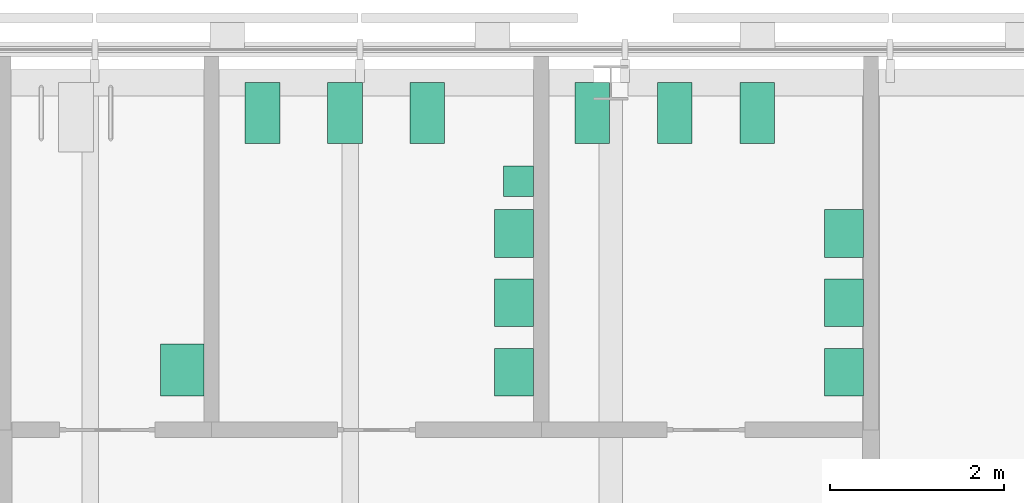
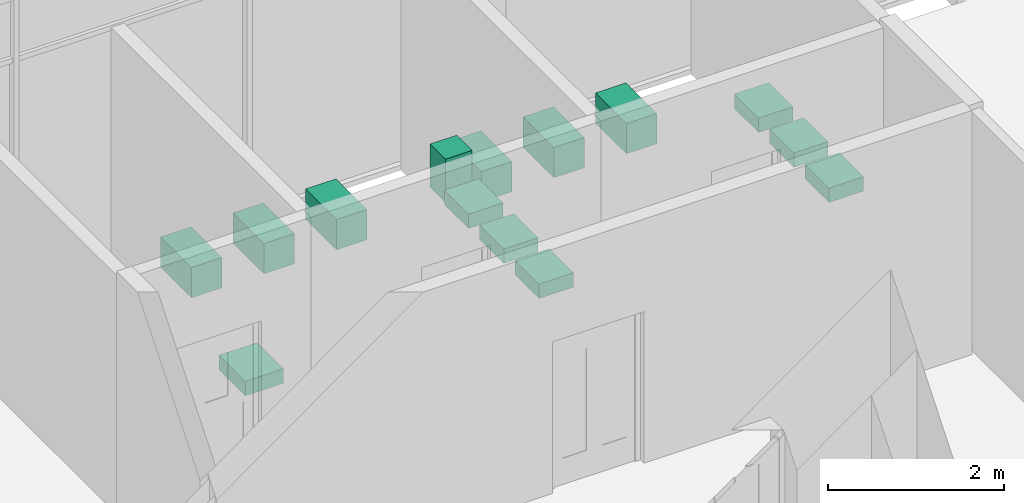
# One storey, part 123 of 123: 14 sanitary terminals.
"""IFC4 building model written with IfcOpenShell, lengths in metres."""

from ifc_helpers import new_model, si_unit, direction, frame, origin, origin_2d, place, context, subcontext, project, spatial, rectangle, extrude, material, type_object, element, save


model = new_model("IFC4")

# Units and contexts
model_context = context("Model", 3, precision=1e-05, world=origin(), true_north=direction((0.0, 1.0)))
body_context = subcontext(model_context, "Body", "Model", "MODEL_VIEW")
ifc_project = project(units=[si_unit("LENGTHUNIT", "METRE"), si_unit("AREAUNIT", "SQUARE_METRE"), si_unit("VOLUMEUNIT", "CUBIC_METRE"), si_unit("PLANEANGLEUNIT", "RADIAN"), si_unit("MASSUNIT", "GRAM", prefix="KILO")], contexts=[model_context])

# Site, building, storey
site_placement = place(None, origin())
site = spatial("IfcSite", under=ifc_project, at=site_placement, CompositionType="ELEMENT")
building_placement = place(site_placement, origin())
building = spatial("IfcBuilding", under=site, at=building_placement, Name="Baradari Gate Terminus", CompositionType="ELEMENT")
storey_placement = place(building_placement, frame((0.0, 0.0, 7.5)))
storey = spatial("IfcBuildingStorey", under=building, at=storey_placement, Name="L01", CompositionType="ELEMENT", Elevation=7.5)

# Sanitary terminals
ifc_material_1 = material(Name="Vitreous china", Category="ceramic")
sanitary_terminal_type_1 = type_object("IfcSanitaryTerminalType", Name="Accessible wash basin SW-6", PredefinedType="WASHHANDBASIN", material=ifc_material_1)
sanitary_terminal_1_placement = place(storey_placement, frame((40.0625, 140.6875, 0.75), z_axis=(0.0, 0.0, 1.0), x_axis=(1.0, 0.0, 0.0)))
element("IfcSanitaryTerminal", 1, at=sanitary_terminal_1_placement, inside=storey, type_object=sanitary_terminal_type_1, Name="Accessible wash basin Accessible WC", PredefinedType="WASHHANDBASIN", context=body_context, shape_type="SweptSolid", body=[
    extrude(rectangle(XDim=0.5, YDim=0.60009765625, at=origin_2d()), origin(), (0.0, 0.0, 1.0), 0.199951171875),
])
ifc_material_2 = material(Name="Vitreous china", Category="ceramic")
sanitary_terminal_type_2 = type_object("IfcSanitaryTerminalType", Name="Urinal SW-3", PredefinedType="URINAL", material=ifc_material_2)
sanitary_terminal_2_placement = place(storey_placement, frame((43.9375, 142.862548828125, 0.64990234375), z_axis=(0.0, 0.0, 1.0), x_axis=(1.0, 0.0, 0.0)))
element("IfcSanitaryTerminal", 2, at=sanitary_terminal_2_placement, inside=storey, type_object=sanitary_terminal_type_2, Name="Urinal Male WC", PredefinedType="URINAL", context=body_context, shape_type="SweptSolid", body=[
    extrude(rectangle(XDim=0.35009765625, YDim=0.35009765625, at=origin_2d()), origin(), (0.0, 0.0, 1.0), 0.60009765625),
])
ifc_material_3 = material(Name="Vitreous china", Category="ceramic")
sanitary_terminal_type_3 = type_object("IfcSanitaryTerminalType", Name="WC pan SW-1", PredefinedType="TOILETPAN", material=ifc_material_3)
for number, where, z_axis, x_axis, name in (
    (3, (40.987548828125, 143.64990234375, 0.0), (0.0, 0.0, 1.0), (1.0, 0.0, 0.0), "WC pan Male WC"),
    (4, (41.9375, 143.64990234375, 0.0), (0.0, 0.0, 1.0), (1.0, 0.0, 0.0), "WC pan Male WC"),
    (5, (42.887451171875, 143.64990234375, 0.0), (0.0, 0.0, 1.0), (1.0, 0.0, 0.0), "WC pan Male WC"),
    (6, (44.78759765625, 143.64990234375, 0.0), (0.0, 0.0, 1.0), (1.0, 0.0, 0.0), "WC pan Female WC"),
    (7, (45.737548828125, 143.64990234375, 0.0), (0.0, 0.0, 1.0), (1.0, 0.0, 0.0), "WC pan Female WC"),
    (8, (46.6875, 143.64990234375, 0.0), (0.0, 0.0, 1.0), (1.0, 0.0, 0.0), "WC pan Female WC"),
):
    element("IfcSanitaryTerminal", number, at=place(storey_placement, frame(where, z_axis=z_axis, x_axis=x_axis)), inside=storey, type_object=sanitary_terminal_type_3, Name=name, PredefinedType="TOILETPAN", context=body_context, shape_type="SweptSolid", body=[
        extrude(rectangle(XDim=0.39990234375, YDim=0.699951171875, at=origin_2d()), origin(), (0.0, 0.0, 1.0), 0.419921875),
    ])
ifc_material_4 = material(Name="Vitreous china", Category="ceramic")
sanitary_terminal_type_4 = type_object("IfcSanitaryTerminalType", Name="Wash basin SW-2", PredefinedType="WASHHANDBASIN", material=ifc_material_4)
for number, where, z_axis, x_axis, name in (
    (9, (43.887451171875, 140.66259765625, 0.75), (0.0, 0.0, 1.0), (1.0, 0.0, 0.0), "Wash basin Male WC"),
    (10, (43.887451171875, 141.46240234375, 0.75), (0.0, 0.0, 1.0), (1.0, 0.0, 0.0), "Wash basin Male WC"),
    (11, (43.887451171875, 142.262451171875, 0.75), (0.0, 0.0, 1.0), (1.0, 0.0, 0.0), "Wash basin Male WC"),
    (12, (47.6875, 140.66259765625, 0.75), (0.0, 0.0, 1.0), (1.0, 0.0, 0.0), "Wash basin Female WC"),
    (13, (47.6875, 141.46240234375, 0.75), (0.0, 0.0, 1.0), (1.0, 0.0, 0.0), "Wash basin Female WC"),
    (14, (47.6875, 142.262451171875, 0.75), (0.0, 0.0, 1.0), (1.0, 0.0, 0.0), "Wash basin Female WC"),
):
    element("IfcSanitaryTerminal", number, at=place(storey_placement, frame(where, z_axis=z_axis, x_axis=x_axis)), inside=storey, type_object=sanitary_terminal_type_4, Name=name, PredefinedType="WASHHANDBASIN", context=body_context, shape_type="SweptSolid", body=[
        extrude(rectangle(XDim=0.449951171875, YDim=0.550048828125, at=origin_2d()), origin(), (0.0, 0.0, 1.0), 0.199951171875),
    ])

save(model, "model.ifc")
